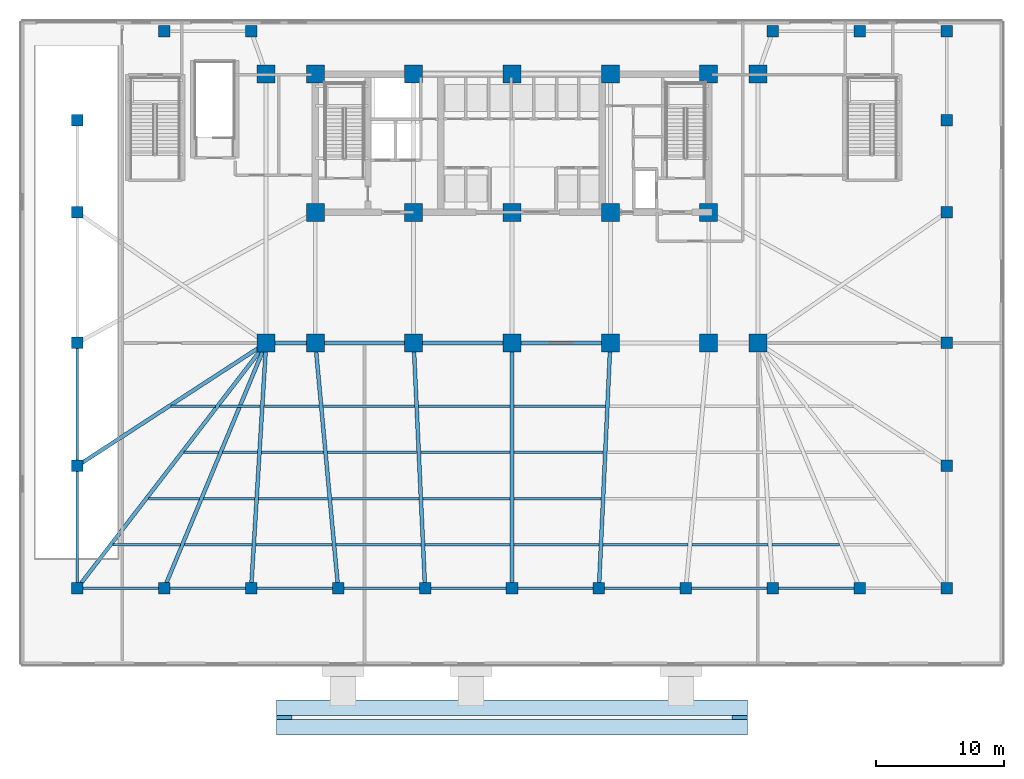
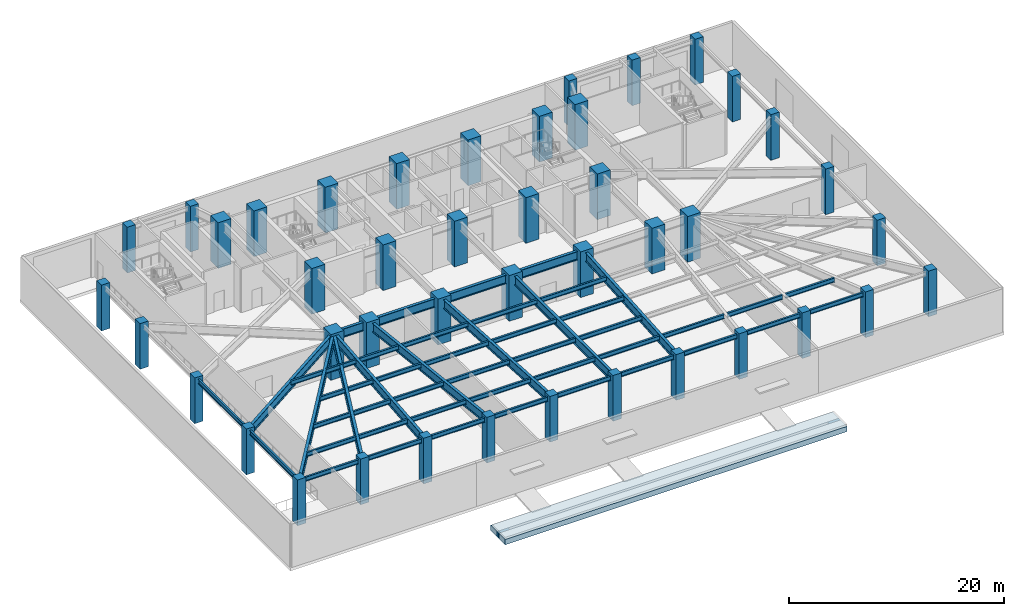
# One storey, part 1 of 15: 50 beams, 43 columns, 4 footings.
"""IFC4 building model written with IfcOpenShell, lengths in metres."""

from ifc_helpers import new_model, si_unit, direction, frame, origin, origin_2d, place, context, subcontext, project, spatial, polyline, rectangle, i_section, outline, extrude, material, layer, layer_set, material_profile, profile_set, type_object, element, save


model = new_model("IFC4")

# Units and contexts
model_context = context("Model", 3, precision=1e-05, world=origin(), true_north=direction((0.0, 1.0)))
body_context = subcontext(model_context, "Body", "Model", "MODEL_VIEW")
ifc_project = project(units=[si_unit("LENGTHUNIT", "METRE"), si_unit("AREAUNIT", "SQUARE_METRE"), si_unit("VOLUMEUNIT", "CUBIC_METRE"), si_unit("PLANEANGLEUNIT", "RADIAN"), si_unit("MASSUNIT", "GRAM", prefix="KILO")], contexts=[model_context])

# Site, building, storey
site_placement = place(None, origin())
site = spatial("IfcSite", under=ifc_project, at=site_placement, CompositionType="ELEMENT")
building_placement = place(site_placement, origin())
building = spatial("IfcBuilding", under=site, at=building_placement, Name="Yelkora Congress Tower", CompositionType="ELEMENT")
storey_placement = place(building_placement, origin())
storey = spatial("IfcBuildingStorey", under=building, at=storey_placement, Name="L00", CompositionType="ELEMENT", Elevation=0.0)

# Footings
ifc_material_1 = material(Name="Concrete C50/60", Category="concrete")
ifc_layer_1 = layer(ifc_material_1, 0.60009765625)
ifc_layer_set_1 = layer_set([ifc_layer_1], Name="Concrete C50/60")
footing_type_1 = type_object("IfcFootingType", Name="FT-STRIP-FC-800", PredefinedType="STRIP_FOOTING", material=ifc_layer_set_1)
footing_1_placement = place(storey_placement, frame((0.0, 0.0, -1.090087890625)))
element("IfcFooting", 1, at=footing_1_placement, inside=storey, type_object=footing_type_1, Name="L00 Forecourt Grade Strip Footing S", PredefinedType="STRIP_FOOTING", context=body_context, shape_type="SweptSolid", body=[
    extrude(outline(polyline([(20.0, -5.39990234375), (56.800048828125, -5.39990234375), (56.800048828125, -4.199951171875), (20.0, -4.199951171875), (20.0, -5.39990234375)])), origin(), (0.0, 0.0, 1.0), 0.60009765625),
])
footing_2_placement = place(storey_placement, frame((0.0, 0.0, -1.090087890625)))
element("IfcFooting", 2, at=footing_2_placement, inside=storey, type_object=footing_type_1, Name="L00 Forecourt Grade Strip Footing N", PredefinedType="STRIP_FOOTING", context=body_context, shape_type="SweptSolid", body=[
    extrude(outline(polyline([(20.0, -3.89990234375), (56.800048828125, -3.89990234375), (56.800048828125, -2.699951171875), (20.0, -2.699951171875), (20.0, -3.89990234375)])), origin(), (0.0, 0.0, 1.0), 0.60009765625),
])
ifc_layer_2 = layer(ifc_material_1, 0.60009765625)
ifc_layer_set_2 = layer_set([ifc_layer_2], Name="Concrete C50/60")
footing_type_2 = type_object("IfcFootingType", Name="FT-STRIP-FCX-600", PredefinedType="STRIP_FOOTING", material=ifc_layer_set_2)
footing_3_placement = place(storey_placement, frame((0.0, 0.0, -1.090087890625)))
element("IfcFooting", 3, at=footing_3_placement, inside=storey, type_object=footing_type_2, Name="L00 Forecourt Cross Strip Footing W", PredefinedType="STRIP_FOOTING", context=body_context, shape_type="SweptSolid", body=[
    extrude(outline(polyline([(20.0, -4.199951171875), (21.199951171875, -4.199951171875), (21.199951171875, -3.89990234375), (20.0, -3.89990234375), (20.0, -4.199951171875)])), origin(), (0.0, 0.0, 1.0), 0.60009765625),
])
footing_4_placement = place(storey_placement, frame((0.0, 0.0, -1.090087890625)))
element("IfcFooting", 4, at=footing_4_placement, inside=storey, type_object=footing_type_2, Name="L00 Forecourt Cross Strip Footing E", PredefinedType="STRIP_FOOTING", context=body_context, shape_type="SweptSolid", body=[
    extrude(outline(polyline([(55.60009765625, -4.199951171875), (56.800048828125, -4.199951171875), (56.800048828125, -3.89990234375), (55.60009765625, -3.89990234375), (55.60009765625, -4.199951171875)])), origin(), (0.0, 0.0, 1.0), 0.60009765625),
])

# Columns
ifc_material_2 = material(Name="Concrete C60/75", Category="concrete")
ifc_material_profile_1 = material_profile(ifc_material_2, rectangle(XDim=1.39990234375, YDim=1.39990234375, at=origin_2d()), Name="RC 1400x1400")
ifc_profile_set_1 = profile_set([ifc_material_profile_1], Name="Concrete C60/75")
column_type_1 = type_object("IfcColumnType", Name="COL-RC-1400", PredefinedType="COLUMN", material=ifc_profile_set_1)
for number, where, z_axis, x_axis, name in (
    (5, (23.0400390625, 35.39990234375, 0.0), (0.0, 0.0, 1.0), (1.0, 0.0, 0.0), "L00 Mega Column MC-S1"),
    (6, (23.0400390625, 46.199951171875, 0.0), (0.0, 0.0, 1.0), (1.0, 0.0, 0.0), "L00 Mega Column MC-N1"),
    (7, (23.0400390625, 25.199951171875, 0.0), (0.0, 0.0, 1.0), (1.0, 0.0, 0.0), "L00 Mega Column MC-D1"),
    (8, (30.719970703125, 35.39990234375, 0.0), (0.0, 0.0, 1.0), (1.0, 0.0, 0.0), "L00 Mega Column MC-S2"),
    (9, (30.719970703125, 46.199951171875, 0.0), (0.0, 0.0, 1.0), (1.0, 0.0, 0.0), "L00 Mega Column MC-N2"),
    (10, (30.719970703125, 25.199951171875, 0.0), (0.0, 0.0, 1.0), (1.0, 0.0, 0.0), "L00 Mega Column MC-D2"),
    (11, (38.39990234375, 35.39990234375, 0.0), (0.0, 0.0, 1.0), (1.0, 0.0, 0.0), "L00 Mega Column MC-S3"),
    (12, (38.39990234375, 46.199951171875, 0.0), (0.0, 0.0, 1.0), (1.0, 0.0, 0.0), "L00 Mega Column MC-N3"),
    (13, (38.39990234375, 25.199951171875, 0.0), (0.0, 0.0, 1.0), (1.0, 0.0, 0.0), "L00 Mega Column MC-D3"),
    (14, (46.080078125, 35.39990234375, 0.0), (0.0, 0.0, 1.0), (1.0, 0.0, 0.0), "L00 Mega Column MC-S4"),
    (15, (46.080078125, 46.199951171875, 0.0), (0.0, 0.0, 1.0), (1.0, 0.0, 0.0), "L00 Mega Column MC-N4"),
    (16, (46.080078125, 25.199951171875, 0.0), (0.0, 0.0, 1.0), (1.0, 0.0, 0.0), "L00 Mega Column MC-D4"),
    (17, (53.760009765625, 35.39990234375, 0.0), (0.0, 0.0, 1.0), (1.0, 0.0, 0.0), "L00 Mega Column MC-S5"),
    (18, (53.760009765625, 46.199951171875, 0.0), (0.0, 0.0, 1.0), (1.0, 0.0, 0.0), "L00 Mega Column MC-N5"),
    (19, (53.760009765625, 25.199951171875, 0.0), (0.0, 0.0, 1.0), (1.0, 0.0, 0.0), "L00 Mega Column MC-D5"),
    (20, (19.199951171875, 25.199951171875, 0.0), (0.0, 0.0, 1.0), (1.0, 0.0, 0.0), "L00 Mega Column MC-F1"),
    (21, (57.60009765625, 25.199951171875, 0.0), (0.0, 0.0, 1.0), (1.0, 0.0, 0.0), "L00 Mega Column MC-F2"),
    (22, (19.199951171875, 46.199951171875, 0.0), (0.0, 0.0, 1.0), (1.0, 0.0, 0.0), "L00 Mega Column MC-F3"),
    (23, (57.60009765625, 46.199951171875, 0.0), (0.0, 0.0, 1.0), (1.0, 0.0, 0.0), "L00 Mega Column MC-F4"),
):
    element("IfcColumn", number, at=place(storey_placement, frame(where, z_axis=z_axis, x_axis=x_axis)), inside=storey, type_object=column_type_1, Name=name, PredefinedType="COLUMN", context=body_context, shape_type="SweptSolid", body=[
        extrude(rectangle(XDim=1.39990234375, YDim=1.39990234375, at=origin_2d()), origin(), (0.0, 0.0, 1.0), 5.199951171875),
    ])
ifc_material_profile_2 = material_profile(ifc_material_1, rectangle(XDim=0.89990234375, YDim=0.89990234375, at=origin_2d()), Name="RC 900x900")
ifc_profile_set_2 = profile_set([ifc_material_profile_2], Name="Concrete C50/60")
column_type_2 = type_object("IfcColumnType", Name="COL-RC-900", PredefinedType="COLUMN", material=ifc_profile_set_2)
for number, where, z_axis, x_axis, name in (
    (24, (4.449951171875, 6.050048828125, 0.0), (0.0, 0.0, 1.0), (1.0, 0.0, 0.0), "L00 Podium Column PS01"),
    (25, (11.239990234375, 6.050048828125, 0.0), (0.0, 0.0, 1.0), (1.0, 0.0, 0.0), "L00 Podium Column PS02"),
    (26, (11.239990234375, 49.550048828125, 0.0), (0.0, 0.0, 1.0), (1.0, 0.0, 0.0), "L00 Podium North Column PN02"),
    (27, (18.030029296875, 6.050048828125, 0.0), (0.0, 0.0, 1.0), (1.0, 0.0, 0.0), "L00 Podium Column PS03"),
    (28, (18.030029296875, 49.550048828125, 0.0), (0.0, 0.0, 1.0), (1.0, 0.0, 0.0), "L00 Podium North Column PN03"),
    (29, (24.820068359375, 6.050048828125, 0.0), (0.0, 0.0, 1.0), (1.0, 0.0, 0.0), "L00 Podium Column PS04"),
    (30, (31.610107421875, 6.050048828125, 0.0), (0.0, 0.0, 1.0), (1.0, 0.0, 0.0), "L00 Podium Column PS05"),
    (31, (38.39990234375, 6.050048828125, 0.0), (0.0, 0.0, 1.0), (1.0, 0.0, 0.0), "L00 Podium Column PS06"),
    (32, (45.18994140625, 6.050048828125, 0.0), (0.0, 0.0, 1.0), (1.0, 0.0, 0.0), "L00 Podium Column PS07"),
    (33, (51.97998046875, 6.050048828125, 0.0), (0.0, 0.0, 1.0), (1.0, 0.0, 0.0), "L00 Podium Column PS08"),
    (34, (58.77001953125, 6.050048828125, 0.0), (0.0, 0.0, 1.0), (1.0, 0.0, 0.0), "L00 Podium Column PS09"),
    (35, (58.77001953125, 49.550048828125, 0.0), (0.0, 0.0, 1.0), (1.0, 0.0, 0.0), "L00 Podium North Column PN09"),
    (36, (65.56005859375, 6.050048828125, 0.0), (0.0, 0.0, 1.0), (1.0, 0.0, 0.0), "L00 Podium Column PS10"),
    (37, (65.56005859375, 49.550048828125, 0.0), (0.0, 0.0, 1.0), (1.0, 0.0, 0.0), "L00 Podium North Column PN10"),
    (38, (72.35009765625, 6.050048828125, 0.0), (0.0, 0.0, 1.0), (1.0, 0.0, 0.0), "L00 Podium Column PS11"),
    (39, (72.35009765625, 49.550048828125, 0.0), (0.0, 0.0, 1.0), (1.0, 0.0, 0.0), "L00 Podium North Column PN11"),
    (40, (4.449951171875, 15.60009765625, 0.0), (0.0, 0.0, 1.0), (1.0, 0.0, 0.0), "L00 Podium Flank Column PW1"),
    (41, (72.35009765625, 15.60009765625, 0.0), (0.0, 0.0, 1.0), (1.0, 0.0, 0.0), "L00 Podium Flank Column PE1"),
    (42, (4.449951171875, 25.199951171875, 0.0), (0.0, 0.0, 1.0), (1.0, 0.0, 0.0), "L00 Podium Flank Column PW2"),
    (43, (72.35009765625, 25.199951171875, 0.0), (0.0, 0.0, 1.0), (1.0, 0.0, 0.0), "L00 Podium Flank Column PE2"),
    (44, (4.449951171875, 35.39990234375, 0.0), (0.0, 0.0, 1.0), (1.0, 0.0, 0.0), "L00 Podium Flank Column PW3"),
    (45, (72.35009765625, 35.39990234375, 0.0), (0.0, 0.0, 1.0), (1.0, 0.0, 0.0), "L00 Podium Flank Column PE3"),
    (46, (4.449951171875, 42.60009765625, 0.0), (0.0, 0.0, 1.0), (1.0, 0.0, 0.0), "L00 Podium Flank Column PW4"),
    (47, (72.35009765625, 42.60009765625, 0.0), (0.0, 0.0, 1.0), (1.0, 0.0, 0.0), "L00 Podium Flank Column PE4"),
):
    element("IfcColumn", number, at=place(storey_placement, frame(where, z_axis=z_axis, x_axis=x_axis)), inside=storey, type_object=column_type_2, Name=name, PredefinedType="COLUMN", context=body_context, shape_type="SweptSolid", body=[
        extrude(rectangle(XDim=0.89990234375, YDim=0.89990234375, at=origin_2d()), origin(), (0.0, 0.0, 1.0), 5.199951171875),
    ])

# Beams
ifc_material_3 = material(Name="Steel S460M", Category="steel")
ifc_material_profile_3 = material_profile(ifc_material_3, i_section(OverallWidth=0.300048828125, OverallDepth=1.0, WebThickness=0.01904296875, FlangeThickness=0.035888671875, FilletRadius=0.030029296875, at=origin_2d()), Name="HEB 1000")
ifc_profile_set_3 = profile_set([ifc_material_profile_3], Name="Steel S460M")
beam_type_1 = type_object("IfcBeamType", Name="BM-HALL-HEB1000", PredefinedType="BEAM", material=ifc_profile_set_3)
beam_1_placement = place(storey_placement, frame((19.199951171875, 25.199951171875, 4.43994140625), z_axis=(1.0, 0.0, 0.0), x_axis=(0.0, 1.0, 0.0)))
element("IfcBeam", 48, at=beam_1_placement, inside=storey, type_object=beam_type_1, Name="L00 Spine Grid D Girder 1", PredefinedType="BEAM", context=body_context, shape_type="SweptSolid", body=[
    extrude(i_section(OverallWidth=0.300048828125, OverallDepth=1.0, WebThickness=0.01904296875, FlangeThickness=0.035888671875, FilletRadius=0.030029296875, at=origin_2d()), origin(), (0.0, 0.0, 1.0), 3.840087890625),
])
for number, where, z_axis, x_axis, name in (
    (49, (23.0400390625, 25.199951171875, 4.43994140625), (1.0, 0.0, 0.0), (0.0, 1.0, 0.0), "L00 Spine Grid D Girder 2"),
    (50, (30.719970703125, 25.199951171875, 4.43994140625), (1.0, 0.0, 0.0), (0.0, 1.0, 0.0), "L00 Spine Grid D Girder 3"),
):
    element("IfcBeam", number, at=place(storey_placement, frame(where, z_axis=z_axis, x_axis=x_axis)), inside=storey, type_object=beam_type_1, Name=name, PredefinedType="BEAM", context=body_context, shape_type="SweptSolid", body=[
        extrude(i_section(OverallWidth=0.300048828125, OverallDepth=1.0, WebThickness=0.01904296875, FlangeThickness=0.035888671875, FilletRadius=0.030029296875, at=origin_2d()), origin(), (0.0, 0.0, 1.0), 7.679931640625),
    ])
beam_2_placement = place(storey_placement, frame((38.39990234375, 25.199951171875, 4.43994140625), z_axis=(1.0, 0.0, 0.0), x_axis=(0.0, 1.0, 0.0)))
element("IfcBeam", 51, at=beam_2_placement, inside=storey, type_object=beam_type_1, Name="L00 Spine Grid D Girder 4", PredefinedType="BEAM", context=body_context, shape_type="SweptSolid", body=[
    extrude(i_section(OverallWidth=0.300048828125, OverallDepth=1.0, WebThickness=0.01904296875, FlangeThickness=0.035888671875, FilletRadius=0.030029296875, at=origin_2d()), origin(), (0.0, 0.0, 1.0), 7.68017578125),
])
beam_3_placement = place(storey_placement, frame((4.449951171875, 6.050048828125, 4.43994140625), z_axis=(0.610212418574, 0.792237845737, 0.0), x_axis=(-0.792237845737, 0.610212418574, 0.0)))
element("IfcBeam", 52, at=beam_3_placement, inside=storey, type_object=beam_type_1, Name="L00 Primary Frame Girder PS01", PredefinedType="BEAM", context=body_context, shape_type="SweptSolid", body=[
    extrude(i_section(OverallWidth=0.300048828125, OverallDepth=1.0, WebThickness=0.01904296875, FlangeThickness=0.035888671875, FilletRadius=0.030029296875, at=origin_2d()), origin(), (0.0, 0.0, 1.0), 24.171875),
])
beam_4_placement = place(storey_placement, frame((11.239990234375, 6.050048828125, 4.43994140625), z_axis=(0.383827816401, 0.923404682334, 0.0), x_axis=(-0.923404682334, 0.383827816401, 0.0)))
element("IfcBeam", 53, at=beam_4_placement, inside=storey, type_object=beam_type_1, Name="L00 Primary Frame Girder PS02", PredefinedType="BEAM", context=body_context, shape_type="SweptSolid", body=[
    extrude(i_section(OverallWidth=0.300048828125, OverallDepth=1.0, WebThickness=0.01904296875, FlangeThickness=0.035888671875, FilletRadius=0.030029296875, at=origin_2d()), origin(), (0.0, 0.0, 1.0), 20.73828125),
])
beam_5_placement = place(storey_placement, frame((18.030029296875, 6.050048828125, 4.43994140625), z_axis=(0.060979146345, 0.99813904027, 0.0), x_axis=(-0.99813904027, 0.060979146345, 0.0)))
element("IfcBeam", 54, at=beam_5_placement, inside=storey, type_object=beam_type_1, Name="L00 Primary Frame Girder PS03", PredefinedType="BEAM", context=body_context, shape_type="SweptSolid", body=[
    extrude(i_section(OverallWidth=0.300048828125, OverallDepth=1.0, WebThickness=0.01904296875, FlangeThickness=0.035888671875, FilletRadius=0.030029296875, at=origin_2d()), origin(), (0.0, 0.0, 1.0), 19.185546875),
])
beam_6_placement = place(storey_placement, frame((24.820068359375, 6.050048828125, 4.43994140625), z_axis=(-0.092553417869, 0.995707720589, 0.0), x_axis=(-0.995707720589, -0.092553417869, 0.0)))
element("IfcBeam", 55, at=beam_6_placement, inside=storey, type_object=beam_type_1, Name="L00 Primary Frame Girder PS04", PredefinedType="BEAM", context=body_context, shape_type="SweptSolid", body=[
    extrude(i_section(OverallWidth=0.300048828125, OverallDepth=1.0, WebThickness=0.01904296875, FlangeThickness=0.035888671875, FilletRadius=0.030029296875, at=origin_2d()), origin(), (0.0, 0.0, 1.0), 19.232421875),
])
beam_7_placement = place(storey_placement, frame((31.610107421875, 6.050048828125, 4.43994140625), z_axis=(-0.046432437641, 0.998921432714, 0.0), x_axis=(-0.998921432714, -0.046432437641, 0.0)))
element("IfcBeam", 56, at=beam_7_placement, inside=storey, type_object=beam_type_1, Name="L00 Primary Frame Girder PS05", PredefinedType="BEAM", context=body_context, shape_type="SweptSolid", body=[
    extrude(i_section(OverallWidth=0.300048828125, OverallDepth=1.0, WebThickness=0.01904296875, FlangeThickness=0.035888671875, FilletRadius=0.030029296875, at=origin_2d()), origin(), (0.0, 0.0, 1.0), 19.170654296875),
])
beam_8_placement = place(storey_placement, frame((38.39990234375, 6.050048828125, 4.43994140625), z_axis=(0.0, 1.0, 0.0), x_axis=(-1.0, 0.0, 0.0)))
element("IfcBeam", 57, at=beam_8_placement, inside=storey, type_object=beam_type_1, Name="L00 Primary Frame Girder PS06", PredefinedType="BEAM", context=body_context, shape_type="SweptSolid", body=[
    extrude(i_section(OverallWidth=0.300048828125, OverallDepth=1.0, WebThickness=0.01904296875, FlangeThickness=0.035888671875, FilletRadius=0.030029296875, at=origin_2d()), origin(), (0.0, 0.0, 1.0), 19.14990234375),
])
beam_9_placement = place(storey_placement, frame((45.18994140625, 6.050048828125, 4.43994140625), z_axis=(0.046432437641, 0.998921432714, 0.0), x_axis=(-0.998921432714, 0.046432437641, 0.0)))
element("IfcBeam", 58, at=beam_9_placement, inside=storey, type_object=beam_type_1, Name="L00 Primary Frame Girder PS07", PredefinedType="BEAM", context=body_context, shape_type="SweptSolid", body=[
    extrude(i_section(OverallWidth=0.300048828125, OverallDepth=1.0, WebThickness=0.01904296875, FlangeThickness=0.035888671875, FilletRadius=0.030029296875, at=origin_2d()), origin(), (0.0, 0.0, 1.0), 19.170654296875),
])
beam_10_placement = place(storey_placement, frame((4.449951171875, 15.60009765625, 4.43994140625), z_axis=(0.83812272066, 0.545481718404, 0.0), x_axis=(-0.545481718404, 0.83812272066, 0.0)))
element("IfcBeam", 59, at=beam_10_placement, inside=storey, type_object=beam_type_1, Name="L00 Primary Frame Girder PW1", PredefinedType="BEAM", context=body_context, shape_type="SweptSolid", body=[
    extrude(i_section(OverallWidth=0.300048828125, OverallDepth=1.0, WebThickness=0.01904296875, FlangeThickness=0.035888671875, FilletRadius=0.030029296875, at=origin_2d()), origin(), (0.0, 0.0, 1.0), 17.598876953125),
])
ifc_material_4 = material(Name="Steel S355J2", Category="steel")
ifc_material_profile_4 = material_profile(ifc_material_4, i_section(OverallWidth=0.199951171875, OverallDepth=0.5, WebThickness=0.01025390625, FlangeThickness=0.01611328125, FilletRadius=0.02099609375, at=origin_2d()), Name="IPE 500")
ifc_profile_set_4 = profile_set([ifc_material_profile_4], Name="Steel S355J2")
beam_type_2 = type_object("IfcBeamType", Name="BM-JOIST-IPE500", PredefinedType="JOIST", material=ifc_profile_set_4)
beam_11_placement = place(storey_placement, frame((7.228759765625, 9.449951171875, 4.68994140625), z_axis=(1.0, 0.0, 0.0), x_axis=(0.0, 1.0, 0.0)))
element("IfcBeam", 60, at=beam_11_placement, inside=storey, type_object=beam_type_2, Name="L00 Composite Floor Joist 1", PredefinedType="JOIST", context=body_context, shape_type="SweptSolid", body=[
    extrude(i_section(OverallWidth=0.199951171875, OverallDepth=0.5, WebThickness=0.01025390625, FlangeThickness=0.01611328125, FilletRadius=0.02099609375, at=origin_2d()), origin(), (0.0, 0.0, 1.0), 5.2646484375),
])
beam_12_placement = place(storey_placement, frame((12.813232421875, 9.449951171875, 4.68994140625), z_axis=(1.0, 0.0, 0.0), x_axis=(0.0, 1.0, 0.0)))
element("IfcBeam", 61, at=beam_12_placement, inside=storey, type_object=beam_type_2, Name="L00 Composite Floor Joist 2", PredefinedType="JOIST", context=body_context, shape_type="SweptSolid", body=[
    extrude(i_section(OverallWidth=0.199951171875, OverallDepth=0.5, WebThickness=0.01025390625, FlangeThickness=0.01611328125, FilletRadius=0.02099609375, at=origin_2d()), origin(), (0.0, 0.0, 1.0), 5.264404296875),
])
beam_13_placement = place(storey_placement, frame((18.397705078125, 9.449951171875, 4.68994140625), z_axis=(1.0, 0.0, 0.0), x_axis=(0.0, 1.0, 0.0)))
element("IfcBeam", 62, at=beam_13_placement, inside=storey, type_object=beam_type_2, Name="L00 Composite Floor Joist 3", PredefinedType="JOIST", context=body_context, shape_type="SweptSolid", body=[
    extrude(i_section(OverallWidth=0.199951171875, OverallDepth=0.5, WebThickness=0.01025390625, FlangeThickness=0.01611328125, FilletRadius=0.02099609375, at=origin_2d()), origin(), (0.0, 0.0, 1.0), 5.9462890625),
])
for number, where, z_axis, x_axis, name in (
    (63, (24.6640625, 9.449951171875, 4.68994140625), (1.0, 0.0, 0.0), (0.0, 1.0, 0.0), "L00 Composite Floor Joist 4"),
    (64, (31.612060546875, 9.449951171875, 4.68994140625), (1.0, 0.0, 0.0), (0.0, 1.0, 0.0), "L00 Composite Floor Joist 5"),
    (65, (38.56005859375, 9.449951171875, 4.68994140625), (1.0, 0.0, 0.0), (0.0, 1.0, 0.0), "L00 Composite Floor Joist 6"),
    (66, (45.508056640625, 9.449951171875, 4.68994140625), (1.0, 0.0, 0.0), (0.0, 1.0, 0.0), "L00 Composite Floor Joist 7"),
):
    element("IfcBeam", number, at=place(storey_placement, frame(where, z_axis=z_axis, x_axis=x_axis)), inside=storey, type_object=beam_type_2, Name=name, PredefinedType="JOIST", context=body_context, shape_type="SweptSolid", body=[
        extrude(i_section(OverallWidth=0.199951171875, OverallDepth=0.5, WebThickness=0.01025390625, FlangeThickness=0.01611328125, FilletRadius=0.02099609375, at=origin_2d()), origin(), (0.0, 0.0, 1.0), 6.6279296875),
    ])
beam_14_placement = place(storey_placement, frame((52.4560546875, 9.449951171875, 4.68994140625), z_axis=(1.0, 0.0, 0.0), x_axis=(0.0, 1.0, 0.0)))
element("IfcBeam", 67, at=beam_14_placement, inside=storey, type_object=beam_type_2, Name="L00 Composite Floor Joist 8", PredefinedType="JOIST", context=body_context, shape_type="SweptSolid", body=[
    extrude(i_section(OverallWidth=0.199951171875, OverallDepth=0.5, WebThickness=0.01025390625, FlangeThickness=0.01611328125, FilletRadius=0.02099609375, at=origin_2d()), origin(), (0.0, 0.0, 1.0), 5.9462890625),
])
beam_15_placement = place(storey_placement, frame((58.722412109375, 9.449951171875, 4.68994140625), z_axis=(1.0, 0.0, 0.0), x_axis=(0.0, 1.0, 0.0)))
element("IfcBeam", 68, at=beam_15_placement, inside=storey, type_object=beam_type_2, Name="L00 Composite Floor Joist 9", PredefinedType="JOIST", context=body_context, shape_type="SweptSolid", body=[
    extrude(i_section(OverallWidth=0.199951171875, OverallDepth=0.5, WebThickness=0.01025390625, FlangeThickness=0.01611328125, FilletRadius=0.02099609375, at=origin_2d()), origin(), (0.0, 0.0, 1.0), 5.264404296875),
])
beam_16_placement = place(storey_placement, frame((10.001708984375, 13.050048828125, 4.68994140625), z_axis=(1.0, 0.0, 0.0), x_axis=(0.0, 1.0, 0.0)))
element("IfcBeam", 69, at=beam_16_placement, inside=storey, type_object=beam_type_2, Name="L00 Composite Floor Joist 11", PredefinedType="JOIST", context=body_context, shape_type="SweptSolid", body=[
    extrude(i_section(OverallWidth=0.199951171875, OverallDepth=0.5, WebThickness=0.01025390625, FlangeThickness=0.01611328125, FilletRadius=0.02099609375, at=origin_2d()), origin(), (0.0, 0.0, 1.0), 3.988037109375),
])
beam_17_placement = place(storey_placement, frame((14.309814453125, 13.050048828125, 4.68994140625), z_axis=(1.0, 0.0, 0.0), x_axis=(0.0, 1.0, 0.0)))
element("IfcBeam", 70, at=beam_17_placement, inside=storey, type_object=beam_type_2, Name="L00 Composite Floor Joist 12", PredefinedType="JOIST", context=body_context, shape_type="SweptSolid", body=[
    extrude(i_section(OverallWidth=0.199951171875, OverallDepth=0.5, WebThickness=0.01025390625, FlangeThickness=0.01611328125, FilletRadius=0.02099609375, at=origin_2d()), origin(), (0.0, 0.0, 1.0), 3.98779296875),
])
beam_18_placement = place(storey_placement, frame((18.61767578125, 13.050048828125, 4.68994140625), z_axis=(1.0, 0.0, 0.0), x_axis=(0.0, 1.0, 0.0)))
element("IfcBeam", 71, at=beam_18_placement, inside=storey, type_object=beam_type_2, Name="L00 Composite Floor Joist 13", PredefinedType="JOIST", context=body_context, shape_type="SweptSolid", body=[
    extrude(i_section(OverallWidth=0.199951171875, OverallDepth=0.5, WebThickness=0.01025390625, FlangeThickness=0.01611328125, FilletRadius=0.02099609375, at=origin_2d()), origin(), (0.0, 0.0, 1.0), 5.3916015625),
])
for number, where, z_axis, x_axis, name in (
    (72, (24.329345703125, 13.050048828125, 4.68994140625), (1.0, 0.0, 0.0), (0.0, 1.0, 0.0), "L00 Composite Floor Joist 14"),
    (73, (31.444580078125, 13.050048828125, 4.68994140625), (1.0, 0.0, 0.0), (0.0, 1.0, 0.0), "L00 Composite Floor Joist 15"),
):
    element("IfcBeam", number, at=place(storey_placement, frame(where, z_axis=z_axis, x_axis=x_axis)), inside=storey, type_object=beam_type_2, Name=name, PredefinedType="JOIST", context=body_context, shape_type="SweptSolid", body=[
        extrude(i_section(OverallWidth=0.199951171875, OverallDepth=0.5, WebThickness=0.01025390625, FlangeThickness=0.01611328125, FilletRadius=0.02099609375, at=origin_2d()), origin(), (0.0, 0.0, 1.0), 6.79541015625),
    ])
beam_19_placement = place(storey_placement, frame((38.56005859375, 13.050048828125, 4.68994140625), z_axis=(1.0, 0.0, 0.0), x_axis=(0.0, 1.0, 0.0)))
element("IfcBeam", 74, at=beam_19_placement, inside=storey, type_object=beam_type_2, Name="L00 Composite Floor Joist 16", PredefinedType="JOIST", context=body_context, shape_type="SweptSolid", body=[
    extrude(i_section(OverallWidth=0.199951171875, OverallDepth=0.5, WebThickness=0.01025390625, FlangeThickness=0.01611328125, FilletRadius=0.02099609375, at=origin_2d()), origin(), (0.0, 0.0, 1.0), 6.795166015625),
])
beam_20_placement = place(storey_placement, frame((12.7744140625, 16.64990234375, 4.68994140625), z_axis=(1.0, 0.0, 0.0), x_axis=(0.0, 1.0, 0.0)))
element("IfcBeam", 75, at=beam_20_placement, inside=storey, type_object=beam_type_2, Name="L00 Composite Floor Joist 21", PredefinedType="JOIST", context=body_context, shape_type="SweptSolid", body=[
    extrude(i_section(OverallWidth=0.199951171875, OverallDepth=0.5, WebThickness=0.01025390625, FlangeThickness=0.01611328125, FilletRadius=0.02099609375, at=origin_2d()), origin(), (0.0, 0.0, 1.0), 2.711669921875),
])
beam_21_placement = place(storey_placement, frame((15.80615234375, 16.64990234375, 4.68994140625), z_axis=(1.0, 0.0, 0.0), x_axis=(0.0, 1.0, 0.0)))
element("IfcBeam", 76, at=beam_21_placement, inside=storey, type_object=beam_type_2, Name="L00 Composite Floor Joist 22", PredefinedType="JOIST", context=body_context, shape_type="SweptSolid", body=[
    extrude(i_section(OverallWidth=0.199951171875, OverallDepth=0.5, WebThickness=0.01025390625, FlangeThickness=0.01611328125, FilletRadius=0.02099609375, at=origin_2d()), origin(), (0.0, 0.0, 1.0), 2.71142578125),
])
beam_22_placement = place(storey_placement, frame((18.837646484375, 16.64990234375, 4.68994140625), z_axis=(1.0, 0.0, 0.0), x_axis=(0.0, 1.0, 0.0)))
element("IfcBeam", 77, at=beam_22_placement, inside=storey, type_object=beam_type_2, Name="L00 Composite Floor Joist 23", PredefinedType="JOIST", context=body_context, shape_type="SweptSolid", body=[
    extrude(i_section(OverallWidth=0.199951171875, OverallDepth=0.5, WebThickness=0.01025390625, FlangeThickness=0.01611328125, FilletRadius=0.02099609375, at=origin_2d()), origin(), (0.0, 0.0, 1.0), 4.837158203125),
])
beam_23_placement = place(storey_placement, frame((23.99462890625, 16.64990234375, 4.68994140625), z_axis=(1.0, 0.0, 0.0), x_axis=(0.0, 1.0, 0.0)))
element("IfcBeam", 78, at=beam_23_placement, inside=storey, type_object=beam_type_2, Name="L00 Composite Floor Joist 24", PredefinedType="JOIST", context=body_context, shape_type="SweptSolid", body=[
    extrude(i_section(OverallWidth=0.199951171875, OverallDepth=0.5, WebThickness=0.01025390625, FlangeThickness=0.01611328125, FilletRadius=0.02099609375, at=origin_2d()), origin(), (0.0, 0.0, 1.0), 6.962890625),
])
for number, where, z_axis, x_axis, name in (
    (79, (31.27734375, 16.64990234375, 4.68994140625), (1.0, 0.0, 0.0), (0.0, 1.0, 0.0), "L00 Composite Floor Joist 25"),
    (80, (38.56005859375, 16.64990234375, 4.68994140625), (1.0, 0.0, 0.0), (0.0, 1.0, 0.0), "L00 Composite Floor Joist 26"),
):
    element("IfcBeam", number, at=place(storey_placement, frame(where, z_axis=z_axis, x_axis=x_axis)), inside=storey, type_object=beam_type_2, Name=name, PredefinedType="JOIST", context=body_context, shape_type="SweptSolid", body=[
        extrude(i_section(OverallWidth=0.199951171875, OverallDepth=0.5, WebThickness=0.01025390625, FlangeThickness=0.01611328125, FilletRadius=0.02099609375, at=origin_2d()), origin(), (0.0, 0.0, 1.0), 6.962646484375),
    ])
beam_24_placement = place(storey_placement, frame((11.75439453125, 20.25, 4.68994140625), z_axis=(1.0, 0.0, 0.0), x_axis=(0.0, 1.0, 0.0)))
element("IfcBeam", 81, at=beam_24_placement, inside=storey, type_object=beam_type_2, Name="L00 Composite Floor Joist 32", PredefinedType="JOIST", context=body_context, shape_type="SweptSolid", body=[
    extrude(i_section(OverallWidth=0.199951171875, OverallDepth=0.5, WebThickness=0.01025390625, FlangeThickness=0.01611328125, FilletRadius=0.02099609375, at=origin_2d()), origin(), (0.0, 0.0, 1.0), 3.472900390625),
])
beam_25_placement = place(storey_placement, frame((15.54736328125, 20.25, 4.68994140625), z_axis=(1.0, 0.0, 0.0), x_axis=(0.0, 1.0, 0.0)))
element("IfcBeam", 82, at=beam_25_placement, inside=storey, type_object=beam_type_2, Name="L00 Composite Floor Joist 33", PredefinedType="JOIST", context=body_context, shape_type="SweptSolid", body=[
    extrude(i_section(OverallWidth=0.199951171875, OverallDepth=0.5, WebThickness=0.01025390625, FlangeThickness=0.01611328125, FilletRadius=0.02099609375, at=origin_2d()), origin(), (0.0, 0.0, 1.0), 3.190185546875),
])
beam_26_placement = place(storey_placement, frame((19.0576171875, 20.25, 4.68994140625), z_axis=(1.0, 0.0, 0.0), x_axis=(0.0, 1.0, 0.0)))
element("IfcBeam", 83, at=beam_26_placement, inside=storey, type_object=beam_type_2, Name="L00 Composite Floor Joist 34", PredefinedType="JOIST", context=body_context, shape_type="SweptSolid", body=[
    extrude(i_section(OverallWidth=0.199951171875, OverallDepth=0.5, WebThickness=0.01025390625, FlangeThickness=0.01611328125, FilletRadius=0.02099609375, at=origin_2d()), origin(), (0.0, 0.0, 1.0), 4.282470703125),
])
for number, where, z_axis, x_axis, name in (
    (84, (23.66015625, 20.25, 4.68994140625), (1.0, 0.0, 0.0), (0.0, 1.0, 0.0), "L00 Composite Floor Joist 35"),
    (85, (31.110107421875, 20.25, 4.68994140625), (1.0, 0.0, 0.0), (0.0, 1.0, 0.0), "L00 Composite Floor Joist 36"),
    (86, (38.56005859375, 20.25, 4.68994140625), (1.0, 0.0, 0.0), (0.0, 1.0, 0.0), "L00 Composite Floor Joist 37"),
):
    element("IfcBeam", number, at=place(storey_placement, frame(where, z_axis=z_axis, x_axis=x_axis)), inside=storey, type_object=beam_type_2, Name=name, PredefinedType="JOIST", context=body_context, shape_type="SweptSolid", body=[
        extrude(i_section(OverallWidth=0.199951171875, OverallDepth=0.5, WebThickness=0.01025390625, FlangeThickness=0.01611328125, FilletRadius=0.02099609375, at=origin_2d()), origin(), (0.0, 0.0, 1.0), 7.1298828125),
    ])
ifc_material_profile_5 = material_profile(ifc_material_4, i_section(OverallWidth=0.199951171875, OverallDepth=0.5, WebThickness=0.01025390625, FlangeThickness=0.01611328125, FilletRadius=0.02099609375, at=origin_2d()), Name="IPE 500")
ifc_profile_set_5 = profile_set([ifc_material_profile_5], Name="Steel S355J2")
beam_type_3 = type_object("IfcBeamType", Name="BM-SPAN-IPE500B", PredefinedType="BEAM", material=ifc_profile_set_5)
beam_27_placement = place(storey_placement, frame((4.449951171875, 15.60009765625, 4.68994140625), z_axis=(0.0, -1.0, 0.0), x_axis=(1.0, 0.0, 0.0)))
element("IfcBeam", 87, at=beam_27_placement, inside=storey, type_object=beam_type_3, Name="L00 Perimeter Beam 1", PredefinedType="BEAM", context=body_context, shape_type="SweptSolid", body=[
    extrude(i_section(OverallWidth=0.199951171875, OverallDepth=0.5, WebThickness=0.01025390625, FlangeThickness=0.01611328125, FilletRadius=0.02099609375, at=origin_2d()), origin(), (0.0, 0.0, 1.0), 9.550048828125),
])
for number, where, z_axis, x_axis, name in (
    (88, (4.449951171875, 6.050048828125, 4.68994140625), (1.0, 0.0, 0.0), (0.0, 1.0, 0.0), "L00 Perimeter Beam 2"),
    (89, (11.239990234375, 6.050048828125, 4.68994140625), (1.0, 0.0, 0.0), (0.0, 1.0, 0.0), "L00 Perimeter Beam 3"),
    (90, (18.030029296875, 6.050048828125, 4.68994140625), (1.0, 0.0, 0.0), (0.0, 1.0, 0.0), "L00 Perimeter Beam 4"),
    (91, (24.820068359375, 6.050048828125, 4.68994140625), (1.0, 0.0, 0.0), (0.0, 1.0, 0.0), "L00 Perimeter Beam 5"),
):
    element("IfcBeam", number, at=place(storey_placement, frame(where, z_axis=z_axis, x_axis=x_axis)), inside=storey, type_object=beam_type_3, Name=name, PredefinedType="BEAM", context=body_context, shape_type="SweptSolid", body=[
        extrude(i_section(OverallWidth=0.199951171875, OverallDepth=0.5, WebThickness=0.01025390625, FlangeThickness=0.01611328125, FilletRadius=0.02099609375, at=origin_2d()), origin(), (0.0, 0.0, 1.0), 6.7900390625),
    ])
beam_28_placement = place(storey_placement, frame((31.610107421875, 6.050048828125, 4.68994140625), z_axis=(1.0, 0.0, 0.0), x_axis=(0.0, 1.0, 0.0)))
element("IfcBeam", 92, at=beam_28_placement, inside=storey, type_object=beam_type_3, Name="L00 Perimeter Beam 6", PredefinedType="BEAM", context=body_context, shape_type="SweptSolid", body=[
    extrude(i_section(OverallWidth=0.199951171875, OverallDepth=0.5, WebThickness=0.01025390625, FlangeThickness=0.01611328125, FilletRadius=0.02099609375, at=origin_2d()), origin(), (0.0, 0.0, 1.0), 6.789794921875),
])
for number, where, z_axis, x_axis, name in (
    (93, (38.39990234375, 6.050048828125, 4.68994140625), (1.0, 0.0, 0.0), (0.0, 1.0, 0.0), "L00 Perimeter Beam 7"),
    (94, (45.18994140625, 6.050048828125, 4.68994140625), (1.0, 0.0, 0.0), (0.0, 1.0, 0.0), "L00 Perimeter Beam 8"),
    (95, (51.97998046875, 6.050048828125, 4.68994140625), (1.0, 0.0, 0.0), (0.0, 1.0, 0.0), "L00 Perimeter Beam 9"),
    (96, (58.77001953125, 6.050048828125, 4.68994140625), (1.0, 0.0, 0.0), (0.0, 1.0, 0.0), "L00 Perimeter Beam 10"),
):
    element("IfcBeam", number, at=place(storey_placement, frame(where, z_axis=z_axis, x_axis=x_axis)), inside=storey, type_object=beam_type_3, Name=name, PredefinedType="BEAM", context=body_context, shape_type="SweptSolid", body=[
        extrude(i_section(OverallWidth=0.199951171875, OverallDepth=0.5, WebThickness=0.01025390625, FlangeThickness=0.01611328125, FilletRadius=0.02099609375, at=origin_2d()), origin(), (0.0, 0.0, 1.0), 6.7900390625),
    ])
beam_29_placement = place(storey_placement, frame((4.449951171875, 25.199951171875, 4.68994140625), z_axis=(0.0, -1.0, 0.0), x_axis=(1.0, 0.0, 0.0)))
element("IfcBeam", 97, at=beam_29_placement, inside=storey, type_object=beam_type_3, Name="L00 Perimeter Beam 24", PredefinedType="BEAM", context=body_context, shape_type="SweptSolid", body=[
    extrude(i_section(OverallWidth=0.199951171875, OverallDepth=0.5, WebThickness=0.01025390625, FlangeThickness=0.01611328125, FilletRadius=0.02099609375, at=origin_2d()), origin(), (0.0, 0.0, 1.0), 9.599853515625),
])

save(model, "model.ifc")
